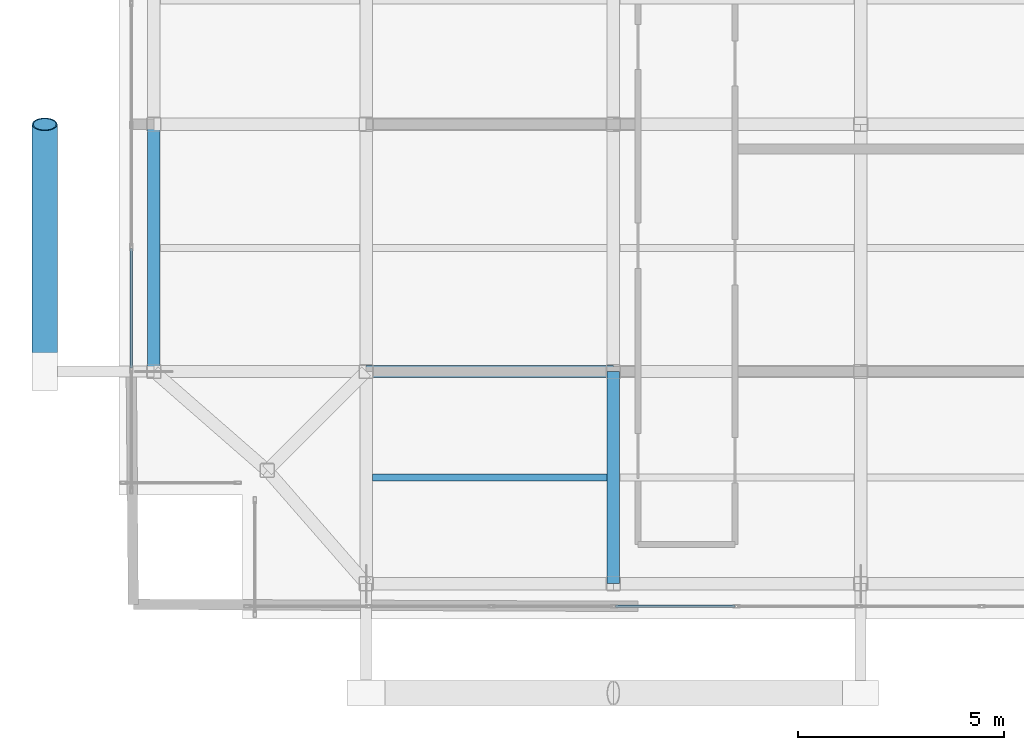
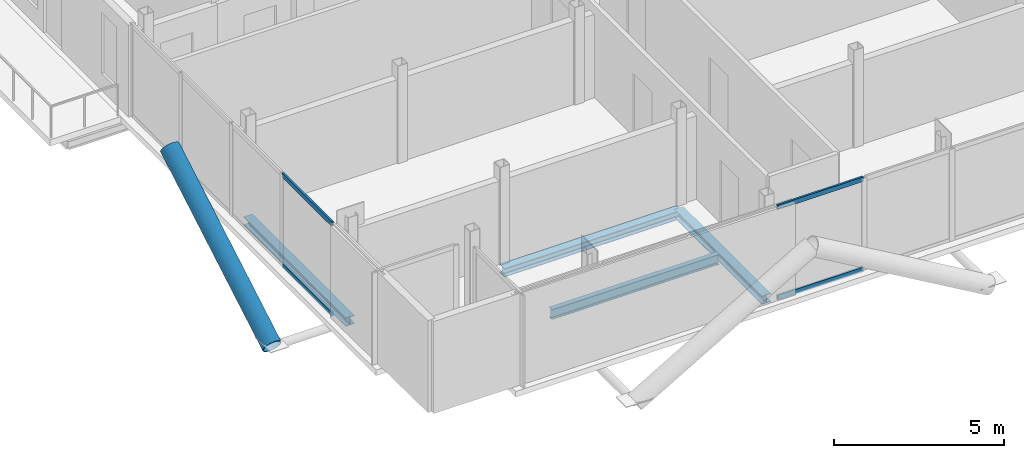
# One storey, part 3 of 19: 5 members, 4 beams, 2 elements without a shape of their own.
"""IFC4 building model written with IfcOpenShell, lengths in metres."""

from ifc_helpers import new_model, si_unit, direction, frame, origin, origin_2d, place, context, subcontext, project, spatial, hollow_rectangle, hollow_circle, i_section, extrude, material, layer, layer_set, material_profile, profile_set, type_object, element, aggregate, save


model = new_model("IFC4")

# Units and contexts
model_context = context("Model", 3, precision=1e-05, world=origin(), true_north=direction((0.0, 1.0)))
body_context = subcontext(model_context, "Body", "Model", "MODEL_VIEW")
ifc_project = project(units=[si_unit("LENGTHUNIT", "METRE"), si_unit("AREAUNIT", "SQUARE_METRE"), si_unit("VOLUMEUNIT", "CUBIC_METRE"), si_unit("PLANEANGLEUNIT", "RADIAN"), si_unit("MASSUNIT", "GRAM", prefix="KILO"), si_unit("THERMODYNAMICTEMPERATUREUNIT", "KELVIN"), si_unit("POWERUNIT", "WATT")], contexts=[model_context])

# Site, building, storey
site_placement = place(None, origin())
site = spatial("IfcSite", under=ifc_project, at=site_placement, CompositionType="ELEMENT")
building_placement = place(site_placement, origin())
building = spatial("IfcBuilding", under=site, at=building_placement, Name="Svarakhadi Broadcast Tower", CompositionType="ELEMENT")
storey_placement = place(building_placement, frame((0.0, 0.0, 285.199951171875)))
storey = spatial("IfcBuildingStorey", under=building, at=storey_placement, Name="L72", CompositionType="ELEMENT", Elevation=285.199951171875)

# Beam
ifc_material_1 = material(Name="Steel S355J2 (IS 2062 E350C)", Category="steel")
ifc_material_profile_1 = material_profile(ifc_material_1, i_section(OverallWidth=0.169921875, OverallDepth=0.360107421875, WebThickness=0.008056640625, FlangeThickness=0.0126953125, FilletRadius=0.01806640625, at=origin_2d()), Name="NPB 360x170x57")
ifc_profile_set_1 = profile_set([ifc_material_profile_1], Name="Steel S355J2 (IS 2062 E350C)")
beam_type_1 = type_object("IfcBeamType", Name="Beam_NPB360", PredefinedType="BEAM", material=ifc_profile_set_1)
beam_1_placement = place(storey_placement, frame((6.159912109375, 3.425048828125, -0.3798828125), z_axis=(1.0, 0.0, 0.0), x_axis=(0.0, 1.0, 0.0)))
element("IfcBeam", 1, at=beam_1_placement, inside=storey, type_object=beam_type_1, Name="L72 Secondary Composite Beam SB004", PredefinedType="BEAM", context=body_context, shape_type="SweptSolid", body=[
    extrude(i_section(OverallWidth=0.169921875, OverallDepth=0.360107421875, WebThickness=0.008056640625, FlangeThickness=0.0126953125, FilletRadius=0.01806640625, at=origin_2d()), origin(), (0.0, 0.0, 1.0), 5.68017578125),
])

# Curtain wall, members
ifc_material_2 = material(Name="Anodised Bronze Aluminium AA 6063-T6", Category="aluminium")
ifc_layer = layer(ifc_material_2, 0.179931640625)
ifc_layer_set = layer_set([ifc_layer], Name="Anodised Bronze Aluminium AA 6063-T6")
curtain_wall_type = type_object("IfcCurtainWallType", Name="CW_Sys_05", PredefinedType="NOTDEFINED", material=ifc_layer_set)
curtain_wall_1_placement = place(storey_placement, origin())
curtain_wall_1 = element("IfcCurtainWall", 2, at=curtain_wall_1_placement, inside=storey, type_object=curtain_wall_type, Name="L72 West Curtain Wall 02", PredefinedType="NOTDEFINED")
ifc_material_profile_2 = material_profile(ifc_material_2, hollow_rectangle(XDim=0.06494140625, YDim=0.1650390625, WallThickness=0.0048828125, at=origin_2d()), Name="ALU TRANSOM 165x65x5")
ifc_profile_set_2 = profile_set([ifc_material_profile_2], Name="Anodised Bronze Aluminium AA 6063-T6")
member_type_1 = type_object("IfcMemberType", Name="CW_Sys_05_Trn", PredefinedType="USERDEFINED", material=ifc_profile_set_2)
member_1_placement = place(storey_placement, frame((0.300048828125, 6.089111328125, 0.032470703125), z_axis=(0.0, 1.0, 0.0), x_axis=(-1.0, 0.0, 0.0)))
member_1 = element("IfcMember", 3, at=member_1_placement, type_object=member_type_1, Name="CW-05 transom 2.1", ObjectType="TRANSOM", PredefinedType="USERDEFINED", context=body_context, shape_type="SweptSolid", body=[
    extrude(hollow_rectangle(XDim=0.06494140625, YDim=0.1650390625, WallThickness=0.0048828125, at=origin_2d()), origin(), (0.0, 0.0, 1.0), 2.893798828125),
])
member_2_placement = place(storey_placement, frame((0.300048828125, 6.089111328125, 3.267578125), z_axis=(0.0, 1.0, 0.0), x_axis=(-1.0, 0.0, 0.0)))
member_2 = element("IfcMember", 4, at=member_2_placement, type_object=member_type_1, Name="CW-05 transom 2.2", ObjectType="TRANSOM", PredefinedType="USERDEFINED", context=body_context, shape_type="SweptSolid", body=[
    extrude(hollow_rectangle(XDim=0.06494140625, YDim=0.1650390625, WallThickness=0.0048828125, at=origin_2d()), origin(), (0.0, 0.0, 1.0), 2.893798828125),
])
aggregate(curtain_wall_1, [member_1, member_2])

curtain_wall_2_placement = place(storey_placement, origin())
curtain_wall_2 = element("IfcCurtainWall", 5, at=curtain_wall_2_placement, inside=storey, type_object=curtain_wall_type, Name="L72 South Curtain Wall 15", PredefinedType="NOTDEFINED")
member_3_placement = place(storey_placement, frame((14.9521484375, 0.300048828125, 0.032470703125), z_axis=(-1.0, 0.0, 0.0), x_axis=(0.0, -1.0, 0.0)))
member_3 = element("IfcMember", 6, at=member_3_placement, type_object=member_type_1, Name="CW-05 transom 4.1", ObjectType="TRANSOM", PredefinedType="USERDEFINED", context=body_context, shape_type="SweptSolid", body=[
    extrude(hollow_rectangle(XDim=0.06494140625, YDim=0.1650390625, WallThickness=0.0048828125, at=origin_2d()), origin(), (0.0, 0.0, 1.0), 2.904296875),
])
member_4_placement = place(storey_placement, frame((14.9521484375, 0.300048828125, 3.267578125), z_axis=(-1.0, 0.0, 0.0), x_axis=(0.0, -1.0, 0.0)))
member_4 = element("IfcMember", 7, at=member_4_placement, type_object=member_type_1, Name="CW-05 transom 4.2", ObjectType="TRANSOM", PredefinedType="USERDEFINED", context=body_context, shape_type="SweptSolid", body=[
    extrude(hollow_rectangle(XDim=0.06494140625, YDim=0.1650390625, WallThickness=0.0048828125, at=origin_2d()), origin(), (0.0, 0.0, 1.0), 2.904296875),
])
aggregate(curtain_wall_2, [member_3, member_4])

# Member
ifc_material_3 = material(Name="Steel S460ML (IS 2062 E450BR)", Category="steel")
ifc_material_profile_3 = material_profile(ifc_material_3, hollow_circle(Radius=0.304931640625, WallThickness=0.030029296875, at=origin_2d()), Name="CHS 610x30")
ifc_profile_set_3 = profile_set([ifc_material_profile_3], Name="Steel S460ML (IS 2062 E450BR)")
member_type_2 = type_object("IfcMemberType", Name="Exo_Brace_CHS610", PredefinedType="BRACE", material=ifc_profile_set_3)
member_5_placement = place(storey_placement, frame((-1.800048828125, 6.0, -0.33642578125), z_axis=(0.0, 0.863778900898, 0.503871025524), x_axis=(-1.0, 0.0, 0.0)))
element("IfcMember", 8, at=member_5_placement, inside=storey, type_object=member_type_2, Name="L72 Exposed Bronze Exoskeleton Diagonal W03", PredefinedType="BRACE", context=body_context, shape_type="SweptSolid", body=[
    extrude(hollow_circle(Radius=0.304931640625, WallThickness=0.030029296875, at=origin_2d()), origin(), (0.0, 0.0, 1.0), 6.9462890625),
])

# Beams
ifc_material_profile_4 = material_profile(ifc_material_1, i_section(OverallWidth=0.300048828125, OverallDepth=0.300048828125, WebThickness=0.010986328125, FlangeThickness=0.01904296875, FilletRadius=0.027099609375, at=origin_2d()), Name="WPB 300x300x117")
ifc_profile_set_4 = profile_set([ifc_material_profile_4], Name="Steel S355J2 (IS 2062 E350C)")
beam_type_2 = type_object("IfcBeamType", Name="Girder_WPB300", PredefinedType="USERDEFINED", material=ifc_profile_set_4)
for number, where, z_axis, x_axis, name in (
    (9, (6.0, 6.0, -0.349853515625), (1.0, 0.0, 0.0), (0.0, 1.0, 0.0), "L72 Primary E-W Girder G009"),
    (10, (0.85009765625, 6.0, -0.349853515625), (0.0, 1.0, 0.0), (-1.0, 0.0, 0.0), "L72 Primary N-S Girder G026"),
):
    element("IfcBeam", number, at=place(storey_placement, frame(where, z_axis=z_axis, x_axis=x_axis)), inside=storey, type_object=beam_type_2, Name=name, ObjectType="GIRDER", PredefinedType="USERDEFINED", context=body_context, shape_type="SweptSolid", body=[
        extrude(i_section(OverallWidth=0.300048828125, OverallDepth=0.300048828125, WebThickness=0.010986328125, FlangeThickness=0.01904296875, FilletRadius=0.027099609375, at=origin_2d()), origin(), (0.0, 0.0, 1.0), 6.0),
    ])
beam_2_placement = place(storey_placement, frame((12.0, 0.85009765625, -0.349853515625), z_axis=(0.0, 1.0, 0.0), x_axis=(-1.0, 0.0, 0.0)))
element("IfcBeam", 11, at=beam_2_placement, inside=storey, type_object=beam_type_2, Name="L72 Primary N-S Girder G033", ObjectType="GIRDER", PredefinedType="USERDEFINED", context=body_context, shape_type="SweptSolid", body=[
    extrude(i_section(OverallWidth=0.300048828125, OverallDepth=0.300048828125, WebThickness=0.010986328125, FlangeThickness=0.01904296875, FilletRadius=0.027099609375, at=origin_2d()), origin(), (0.0, 0.0, 1.0), 5.14990234375),
])

save(model, "model.ifc")
